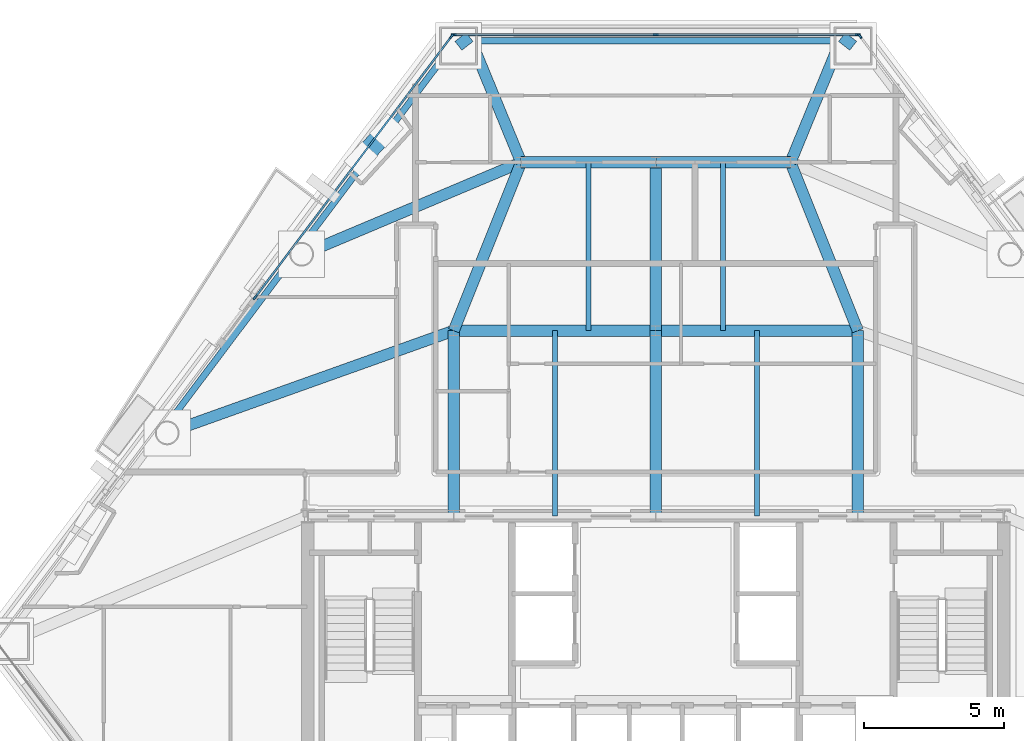
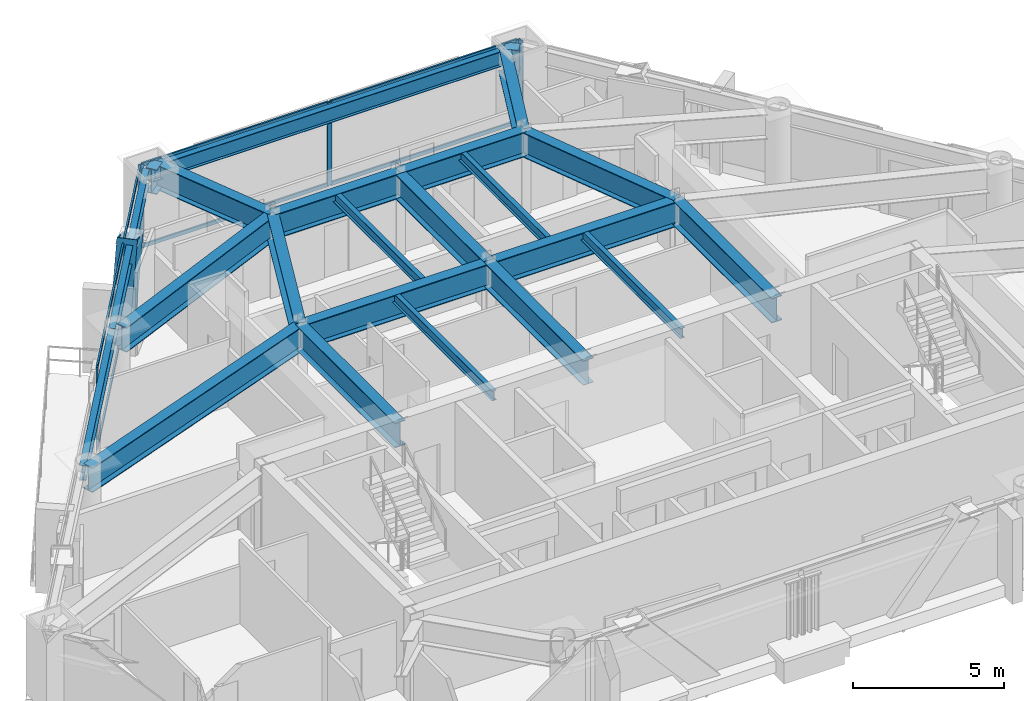
# One storey, part 3 of 11: 23 beams, 13 members, 3 elements without a shape of their own.
"""IFC4 building model written with IfcOpenShell, lengths in metres."""

import ifcopenshell
import ifcopenshell.guid

model = None  # the IFC model being written
_history = None  # IfcOwnerHistory: only IFC2X3 demands one
_inside = {}  # id of a spatial element -> (the spatial element, [elements in it])
_under = {}  # id of a project, library or spatial element -> (it, [spatial elements below it])
_declared = {}  # id of a project -> (the project, [libraries it declares])
_typed = {}  # id of a type object -> (the type object, [elements of that type])
_made_of = {}  # id of a material, layer set ... -> (it, [elements and type objects made of it])


def new_model(schema):
    """Start an empty IFC model of exactly this schema.

    Asked for "IFC4X3", IfcOpenShell would pick the latest addendum, in which some entities
    have other attributes; the version numbers below select the first issue.
    IFC2X3 requires an IfcOwnerHistory on every rooted entity: one is made here for all.
    """
    global model, _history
    if schema == "IFC4X3":
        model = ifcopenshell.file(schema_version=(4, 3, 0, 0))
    else:
        model = ifcopenshell.file(schema=schema)
    _inside.clear()
    _under.clear()
    _declared.clear()
    _typed.clear()
    _made_of.clear()
    _history = None
    if model.schema == "IFC2X3":
        org = make("IfcOrganization", Name="unknown")
        user = make(
            "IfcPersonAndOrganization",
            ThePerson=make("IfcPerson", FamilyName="unknown"),
            TheOrganization=org,
        )
        app = make(
            "IfcApplication",
            ApplicationDeveloper=org,
            Version="unknown",
            ApplicationFullName="unknown",
            ApplicationIdentifier="unknown",
        )
        _history = make(
            "IfcOwnerHistory",
            OwningUser=user,
            OwningApplication=app,
            ChangeAction="ADDED",
            CreationDate=0,
        )
    return model


def make(cls, **values):
    """One entity of the class cls with the attributes given. An attribute that is None is left unset."""
    return model.create_entity(
        cls, **{name: value for name, value in values.items() if value is not None}
    )


def rooted(cls, **values):
    """An entity with a GlobalId (a new one), such as an element, a storey or a relation."""
    return make(cls, GlobalId=ifcopenshell.guid.new(), OwnerHistory=_history, **values)


def si_unit(unit_type, name, prefix=None):
    """IfcSIUnit, for example si_unit("LENGTHUNIT", "METRE", prefix="MILLI")."""
    return make("IfcSIUnit", UnitType=unit_type, Prefix=prefix, Name=name)


def assignment(units):
    """IfcUnitAssignment: the units of a project."""
    return None if units is None else make("IfcUnitAssignment", Units=units)


def point(xyz):
    """IfcCartesianPoint."""
    return None if xyz is None else make("IfcCartesianPoint", Coordinates=xyz)


def direction(xyz):
    """IfcDirection."""
    return None if xyz is None else make("IfcDirection", DirectionRatios=xyz)


def frame(location, z_axis=None, x_axis=None):
    """IfcAxis2Placement3D, a coordinate frame: its origin and axes. An axis left out is left unset."""
    return make(
        "IfcAxis2Placement3D",
        Location=point(location),
        Axis=direction(z_axis),
        RefDirection=direction(x_axis),
    )


def frame_2d(location, x_axis=None):
    """IfcAxis2Placement2D, a coordinate frame in the plane: its origin and x axis."""
    return make(
        "IfcAxis2Placement2D", Location=point(location), RefDirection=direction(x_axis)
    )


def origin():
    """The frame at (0, 0, 0) with its axes left unset."""
    return frame((0.0, 0.0, 0.0))


def origin_2d():
    """The frame at (0, 0) in the plane with its x axis left unset."""
    return frame_2d((0.0, 0.0))


def place(relative_to, where):
    """IfcLocalPlacement: puts the frame where relative to a parent placement (None: the world)."""
    return make(
        "IfcLocalPlacement", PlacementRelTo=relative_to, RelativePlacement=where
    )


def context(
    kind, dimensions, precision=None, world=None, true_north=None, identifier=None
):
    """IfcGeometricRepresentationContext, for example the 3D "Model" context."""
    return make(
        "IfcGeometricRepresentationContext",
        ContextIdentifier=identifier,
        ContextType=kind,
        CoordinateSpaceDimension=dimensions,
        Precision=precision,
        WorldCoordinateSystem=world,
        TrueNorth=true_north,
    )


def subcontext(parent, identifier, kind, view, scale=None):
    """IfcGeometricRepresentationSubContext, for example "Body" below "Model"."""
    return make(
        "IfcGeometricRepresentationSubContext",
        ContextIdentifier=identifier,
        ContextType=kind,
        ParentContext=parent,
        TargetScale=scale,
        TargetView=view,
    )


def project(units=None, contexts=None):
    """IfcProject with its units and contexts."""
    return rooted(
        "IfcProject",
        Name="project",
        RepresentationContexts=contexts,
        UnitsInContext=assignment(units),
    )


def spatial(cls, under=None, at=None, **own):
    """A site, building, storey or space (cls), placed at a placement, below another one or the project."""
    s = rooted(cls, ObjectPlacement=at, **own)
    if under is not None:
        _under.setdefault(under.id(), (under, []))[1].append(s)
    return s


def profile(cls, at=None, kind="AREA", **sizes):
    """A parametric profile (cls). Its sizes go by their IFC names, for example OverallWidth=200.0."""
    return make(cls, ProfileType=kind, Position=at, **sizes)


def rectangle(**sizes):
    """IfcRectangleProfileDef."""
    return profile("IfcRectangleProfileDef", **sizes)


def hollow_rectangle(**sizes):
    """IfcRectangleHollowProfileDef."""
    return profile("IfcRectangleHollowProfileDef", **sizes)


def i_section(**sizes):
    """IfcIShapeProfileDef."""
    return profile("IfcIShapeProfileDef", **sizes)


def extrude(swept, where, along, depth):
    """IfcExtrudedAreaSolid: the profile swept, set in the frame where, extruded along a direction by depth."""
    return make(
        "IfcExtrudedAreaSolid",
        SweptArea=swept,
        Position=where,
        ExtrudedDirection=direction(along),
        Depth=depth,
    )


def shape(context_of_items, identifier, shape_type, items):
    """IfcShapeRepresentation: the items that make up one representation, for example the "Body"."""
    return make(
        "IfcShapeRepresentation",
        ContextOfItems=context_of_items,
        RepresentationIdentifier=identifier,
        RepresentationType=shape_type,
        Items=items,
    )


def material(Name=None, Category=None):
    """IfcMaterial."""
    return make("IfcMaterial", Name=Name, Category=Category)


def layer(
    of_material, thickness, ventilated=None, Name=None, Category=None, Priority=None
):
    """IfcMaterialLayer: one layer of a wall or slab, of a material (None: an air gap)."""
    return make(
        "IfcMaterialLayer",
        Material=of_material,
        LayerThickness=thickness,
        IsVentilated=ventilated,
        Name=Name,
        Category=Category,
        Priority=Priority,
    )


def layer_set(layers, Name=None):
    """IfcMaterialLayerSet."""
    return make("IfcMaterialLayerSet", MaterialLayers=layers, LayerSetName=Name)


def material_profile(
    of_material, cross_section, Name=None, Category=None, Priority=None
):
    """IfcMaterialProfile: a cross section and its material."""
    return make(
        "IfcMaterialProfile",
        Name=Name,
        Material=of_material,
        Profile=cross_section,
        Priority=Priority,
        Category=Category,
    )


def profile_set(profiles, Name=None, composite=None):
    """IfcMaterialProfileSet."""
    return make(
        "IfcMaterialProfileSet",
        Name=Name,
        MaterialProfiles=profiles,
        CompositeProfile=composite,
    )


def made_of(thing, what):
    """Note that an element or type object is made of a material, layer set ...; save() writes the relation."""
    if what is not None:
        _made_of.setdefault(what.id(), (what, []))[1].append(thing)
    return thing


def type_object(cls, material=None, **own):
    """A type object (cls), such as IfcWallType, which elements share."""
    return made_of(rooted(cls, **own), material)


def element(
    cls,
    number,
    at=None,
    inside=None,
    cuts=None,
    type_object=None,
    material=None,
    context=None,
    identifier="Body",
    shape_type=None,
    held_by="IfcProductDefinitionShape",
    body=None,
    shapes=None,
    **own,
):
    """One element of the class cls, such as IfcWall. Its Tag is "e" and its number.

    at: its placement. inside: the storey or other place that contains it. cuts: it is an
    opening in that element (IfcRelVoidsElement). A single representation is given by context,
    identifier, shape_type and body (its items); several are given by shapes. held_by: the class
    of the entity that holds the representations. save() writes the other relations.
    """
    e = rooted(cls, Tag="e%d" % number, ObjectPlacement=at, **own)
    if body is not None:
        shapes = [shape(context, identifier, shape_type, body)]
    if shapes is not None:
        e.Representation = make(held_by, Representations=shapes)
    if inside is not None:
        _inside.setdefault(inside.id(), (inside, []))[1].append(e)
    if cuts is not None:
        rooted(
            "IfcRelVoidsElement", RelatingBuildingElement=cuts, RelatedOpeningElement=e
        )
    if type_object is not None:
        _typed.setdefault(type_object.id(), (type_object, []))[1].append(e)
    return made_of(e, material)


def aggregate(whole, parts):
    """IfcRelAggregates: a whole, such as a stair, and the parts it consists of."""
    return rooted("IfcRelAggregates", RelatingObject=whole, RelatedObjects=parts)


def save(model, path):
    """Write the relations noted so far, then the file.

    IfcRelAggregates (storeys below a building ...), IfcRelContainedInSpatialStructure (elements
    in a storey), IfcRelDefinesByType, IfcRelAssociatesMaterial and IfcRelDeclares: one each for
    every whole, place, type object, material and project.
    """
    for whole, parts in _under.values():
        aggregate(whole, parts)
    for where, things in _inside.values():
        rooted(
            "IfcRelContainedInSpatialStructure",
            RelatedElements=things,
            RelatingStructure=where,
        )
    for kind, things in _typed.values():
        rooted("IfcRelDefinesByType", RelatedObjects=things, RelatingType=kind)
    for what, things in _made_of.values():
        rooted("IfcRelAssociatesMaterial", RelatedObjects=things, RelatingMaterial=what)
    for by, libraries in _declared.values():
        rooted("IfcRelDeclares", RelatingContext=by, RelatedDefinitions=libraries)
    model.write(path)


model = new_model("IFC4")

# Units and contexts
model_context = context("Model", 3, precision=1e-05, world=origin(), true_north=direction((0.0, 1.0)))
body_context = subcontext(model_context, "Body", "Model", "MODEL_VIEW")
ifc_project = project(units=[si_unit("LENGTHUNIT", "METRE"), si_unit("AREAUNIT", "SQUARE_METRE"), si_unit("VOLUMEUNIT", "CUBIC_METRE"), si_unit("PLANEANGLEUNIT", "RADIAN"), si_unit("MASSUNIT", "GRAM", prefix="KILO")], contexts=[model_context])

# Site, building, storey
site_placement = place(None, origin())
site = spatial("IfcSite", under=ifc_project, at=site_placement, CompositionType="ELEMENT")
building_placement = place(site_placement, origin())
building = spatial("IfcBuilding", under=site, at=building_placement, Name="Talgorran Terracotta Tower", CompositionType="ELEMENT")
storey_placement = place(building_placement, frame((0.0, 0.0, 79.199951171875)))
storey = spatial("IfcBuildingStorey", under=building, at=storey_placement, Name="L20", CompositionType="ELEMENT", Elevation=79.199951171875)

# Beams
ifc_material_1 = material(Name="Steel Grade 350 (350L0)", Category="steel")
ifc_material_profile_1 = material_profile(ifc_material_1, i_section(OverallWidth=0.39990234375, OverallDepth=1.0, WebThickness=0.01611328125, FlangeThickness=0.031005859375, at=origin_2d()), Name="1000WB296")
ifc_profile_set_1 = profile_set([ifc_material_profile_1], Name="Steel Grade 350 (350L0)")
beam_type_1 = type_object("IfcBeamType", Name="BM_1000WB296", PredefinedType="BEAM", material=ifc_profile_set_1)
beam_1_placement = place(storey_placement, frame((7.034423828125, 12.552734375, 2.85009765625), z_axis=(-0.786351859357, 0.61777888705, 0.0), x_axis=(-0.61777888705, -0.786351859357, 0.0)))
element("IfcBeam", 1, at=beam_1_placement, inside=storey, type_object=beam_type_1, Name="L20 Perimeter Step Girder 9A", PredefinedType="BEAM", context=body_context, shape_type="SweptSolid", body=[
    extrude(i_section(OverallWidth=0.39990234375, OverallDepth=1.0, WebThickness=0.01611328125, FlangeThickness=0.031005859375, at=origin_2d()), origin(), (0.0, 0.0, 1.0), 0.50537109375),
])
beam_2_placement = place(storey_placement, frame((6.636962890625, 12.864990234375, 2.85009765625), z_axis=(-0.380457312245, -0.924798482676, 0.0), x_axis=(0.924798482676, -0.380457312245, 0.0)))
element("IfcBeam", 2, at=beam_2_placement, inside=storey, type_object=beam_type_1, Name="L20 Perimeter Step Girder 9B", PredefinedType="BEAM", context=body_context, shape_type="SweptSolid", body=[
    extrude(i_section(OverallWidth=0.39990234375, OverallDepth=1.0, WebThickness=0.01611328125, FlangeThickness=0.031005859375, at=origin_2d()), origin(), (0.0, 0.0, 1.0), 4.828125),
])
beam_3_placement = place(storey_placement, frame((-7.034423828125, 12.552734375, 2.85009765625), z_axis=(0.786351859357, 0.61777888705, 0.0), x_axis=(-0.61777888705, 0.786351859357, 0.0)))
element("IfcBeam", 3, at=beam_3_placement, inside=storey, type_object=beam_type_1, Name="L20 Perimeter Step Girder 10A", PredefinedType="BEAM", context=body_context, shape_type="SweptSolid", body=[
    extrude(i_section(OverallWidth=0.39990234375, OverallDepth=1.0, WebThickness=0.01611328125, FlangeThickness=0.031005859375, at=origin_2d()), origin(), (0.0, 0.0, 1.0), 0.50537109375),
])
beam_4_placement = place(storey_placement, frame((-6.636962890625, 12.864990234375, 2.85009765625), z_axis=(0.380457312245, -0.924798482676, 0.0), x_axis=(0.924798482676, 0.380457312245, 0.0)))
element("IfcBeam", 4, at=beam_4_placement, inside=storey, type_object=beam_type_1, Name="L20 Perimeter Step Girder 10B", PredefinedType="BEAM", context=body_context, shape_type="SweptSolid", body=[
    extrude(i_section(OverallWidth=0.39990234375, OverallDepth=1.0, WebThickness=0.01611328125, FlangeThickness=0.031005859375, at=origin_2d()), origin(), (0.0, 0.0, 1.0), 4.828125),
])
for number, where, z_axis, x_axis, name in (
    (5, (-7.199951171875, -4.199951171875, 2.85009765625), (0.0, 1.0, 0.0), (-1.0, 0.0, 0.0), "L20 Floor Girder G01"),
    (6, (0.0, -4.199951171875, 2.85009765625), (0.0, 1.0, 0.0), (-1.0, 0.0, 0.0), "L20 Floor Girder G02"),
    (7, (7.199951171875, -4.199951171875, 2.85009765625), (0.0, 1.0, 0.0), (-1.0, 0.0, 0.0), "L20 Floor Girder G03"),
):
    element("IfcBeam", number, at=place(storey_placement, frame(where, z_axis=z_axis, x_axis=x_axis)), inside=storey, type_object=beam_type_1, Name=name, PredefinedType="BEAM", context=body_context, shape_type="SweptSolid", body=[
        extrude(i_section(OverallWidth=0.39990234375, OverallDepth=1.0, WebThickness=0.01611328125, FlangeThickness=0.031005859375, at=origin_2d()), origin(), (0.0, 0.0, 1.0), 6.599853515625),
    ])
for number, where, z_axis, x_axis, name in (
    (8, (-7.199951171875, 2.39990234375, 2.85009765625), (1.0, 0.0, 0.0), (0.0, 1.0, 0.0), "L20 Floor Girder G04"),
    (9, (0.0, 2.39990234375, 2.85009765625), (1.0, 0.0, 0.0), (0.0, 1.0, 0.0), "L20 Floor Girder G05"),
):
    element("IfcBeam", number, at=place(storey_placement, frame(where, z_axis=z_axis, x_axis=x_axis)), inside=storey, type_object=beam_type_1, Name=name, PredefinedType="BEAM", context=body_context, shape_type="SweptSolid", body=[
        extrude(i_section(OverallWidth=0.39990234375, OverallDepth=1.0, WebThickness=0.01611328125, FlangeThickness=0.031005859375, at=origin_2d()), origin(), (0.0, 0.0, 1.0), 7.199951171875),
    ])
beam_5_placement = place(storey_placement, frame((-7.199951171875, 2.39990234375, 2.85009765625), z_axis=(-0.941876792617, -0.335958490783, 0.0), x_axis=(0.335958490783, -0.941876792617, 0.0)))
element("IfcBeam", 10, at=beam_5_placement, inside=storey, type_object=beam_type_1, Name="L20 Floor Girder G06", PredefinedType="BEAM", context=body_context, shape_type="SweptSolid", body=[
    extrude(i_section(OverallWidth=0.39990234375, OverallDepth=1.0, WebThickness=0.01611328125, FlangeThickness=0.031005859375, at=origin_2d()), origin(), (0.0, 0.0, 1.0), 10.845947265625),
])
beam_6_placement = place(storey_placement, frame((-7.199951171875, 2.39990234375, 2.85009765625), z_axis=(0.371377648723, 0.928481901832, 0.0), x_axis=(-0.928481901832, 0.371377648723, 0.0)))
element("IfcBeam", 11, at=beam_6_placement, inside=storey, type_object=beam_type_1, Name="L20 Floor Girder G08", PredefinedType="BEAM", context=body_context, shape_type="SweptSolid", body=[
    extrude(i_section(OverallWidth=0.39990234375, OverallDepth=1.0, WebThickness=0.01611328125, FlangeThickness=0.031005859375, at=origin_2d()), origin(), (0.0, 0.0, 1.0), 6.462158203125),
])
beam_7_placement = place(storey_placement, frame((0.0, 2.39990234375, 2.85009765625), z_axis=(0.0, 1.0, 0.0), x_axis=(-1.0, 0.0, 0.0)))
element("IfcBeam", 12, at=beam_7_placement, inside=storey, type_object=beam_type_1, Name="L20 Floor Girder G09", PredefinedType="BEAM", context=body_context, shape_type="SweptSolid", body=[
    extrude(i_section(OverallWidth=0.39990234375, OverallDepth=1.0, WebThickness=0.01611328125, FlangeThickness=0.031005859375, at=origin_2d()), origin(), (0.0, 0.0, 1.0), 6.0),
])
beam_8_placement = place(storey_placement, frame((7.199951171875, 2.39990234375, 2.85009765625), z_axis=(-0.371377648723, 0.928481901832, 0.0), x_axis=(-0.928481901832, -0.371377648723, 0.0)))
element("IfcBeam", 13, at=beam_8_placement, inside=storey, type_object=beam_type_1, Name="L20 Floor Girder G10", PredefinedType="BEAM", context=body_context, shape_type="SweptSolid", body=[
    extrude(i_section(OverallWidth=0.39990234375, OverallDepth=1.0, WebThickness=0.01611328125, FlangeThickness=0.031005859375, at=origin_2d()), origin(), (0.0, 0.0, 1.0), 6.462158203125),
])
for number, where, z_axis, x_axis, name in (
    (14, (-4.800048828125, 8.39990234375, 2.85009765625), (1.0, 0.0, 0.0), (0.0, 1.0, 0.0), "L20 Floor Girder G11"),
    (15, (0.0, 8.39990234375, 2.85009765625), (1.0, 0.0, 0.0), (0.0, 1.0, 0.0), "L20 Floor Girder G12"),
):
    element("IfcBeam", number, at=place(storey_placement, frame(where, z_axis=z_axis, x_axis=x_axis)), inside=storey, type_object=beam_type_1, Name=name, PredefinedType="BEAM", context=body_context, shape_type="SweptSolid", body=[
        extrude(i_section(OverallWidth=0.39990234375, OverallDepth=1.0, WebThickness=0.01611328125, FlangeThickness=0.031005859375, at=origin_2d()), origin(), (0.0, 0.0, 1.0), 4.800048828125),
    ])
beam_9_placement = place(storey_placement, frame((-4.800048828125, 8.39990234375, 2.85009765625), z_axis=(-0.921492221575, -0.388396814582, 0.0), x_axis=(0.388396814582, -0.921492221575, 0.0)))
element("IfcBeam", 16, at=beam_9_placement, inside=storey, type_object=beam_type_1, Name="L20 Floor Girder G13", PredefinedType="BEAM", context=body_context, shape_type="SweptSolid", body=[
    extrude(i_section(OverallWidth=0.39990234375, OverallDepth=1.0, WebThickness=0.01611328125, FlangeThickness=0.031005859375, at=origin_2d()), origin(), (0.0, 0.0, 1.0), 8.25390625),
])
ifc_material_2 = material(Name="Steel S355 (300PLUS)", Category="steel")
ifc_material_profile_2 = material_profile(ifc_material_2, i_section(OverallWidth=0.177734375, OverallDepth=0.406494140625, WebThickness=0.0078125, FlangeThickness=0.0126953125, at=origin_2d()), Name="410UB59.7")
ifc_profile_set_2 = profile_set([ifc_material_profile_2], Name="Steel S355 (300PLUS)")
beam_type_2 = type_object("IfcBeamType", Name="BM_JS_410UB60", PredefinedType="JOIST", material=ifc_profile_set_2)
for number, where, z_axis, x_axis, name in (
    (17, (-3.60009765625, -4.199951171875, 3.146728515625), (0.0, 1.0, 0.0), (-1.0, 0.0, 0.0), "L20 Secondary Joist J01"),
    (18, (3.60009765625, -4.199951171875, 3.146728515625), (0.0, 1.0, 0.0), (-1.0, 0.0, 0.0), "L20 Secondary Joist J02"),
):
    element("IfcBeam", number, at=place(storey_placement, frame(where, z_axis=z_axis, x_axis=x_axis)), inside=storey, type_object=beam_type_2, Name=name, PredefinedType="JOIST", context=body_context, shape_type="SweptSolid", body=[
        extrude(i_section(OverallWidth=0.177734375, OverallDepth=0.406494140625, WebThickness=0.0078125, FlangeThickness=0.0126953125, at=origin_2d()), origin(), (0.0, 0.0, 1.0), 6.599853515625),
    ])
for number, where, z_axis, x_axis, name in (
    (19, (-2.39990234375, 2.39990234375, 3.146728515625), (0.0, 1.0, 0.0), (-1.0, 0.0, 0.0), "L20 Secondary Joist J03"),
    (20, (2.39990234375, 2.39990234375, 3.146728515625), (0.0, 1.0, 0.0), (-1.0, 0.0, 0.0), "L20 Secondary Joist J04"),
):
    element("IfcBeam", number, at=place(storey_placement, frame(where, z_axis=z_axis, x_axis=x_axis)), inside=storey, type_object=beam_type_2, Name=name, PredefinedType="JOIST", context=body_context, shape_type="SweptSolid", body=[
        extrude(i_section(OverallWidth=0.177734375, OverallDepth=0.406494140625, WebThickness=0.0078125, FlangeThickness=0.0126953125, at=origin_2d()), origin(), (0.0, 0.0, 1.0), 6.0),
    ])
ifc_material_profile_3 = material_profile(ifc_material_2, i_section(OverallWidth=0.22900390625, OverallDepth=0.611572265625, WebThickness=0.011962890625, FlangeThickness=0.01953125, at=origin_2d()), Name="610UB125")
ifc_profile_set_3 = profile_set([ifc_material_profile_3], Name="Steel S355 (300PLUS)")
beam_type_3 = type_object("IfcBeamType", Name="BM_SP_610UB125", PredefinedType="SPANDREL", material=ifc_profile_set_3)
beam_10_placement = place(storey_placement, frame((7.034423828125, 12.73291015625, 3.044189453125), z_axis=(-1.0, 0.0, 0.0), x_axis=(0.0, -1.0, 0.0)))
element("IfcBeam", 21, at=beam_10_placement, inside=storey, type_object=beam_type_3, Name="L20 Perimeter Spandrel Beam MC5-MC6", PredefinedType="SPANDREL", context=body_context, shape_type="SweptSolid", body=[
    extrude(i_section(OverallWidth=0.22900390625, OverallDepth=0.611572265625, WebThickness=0.011962890625, FlangeThickness=0.01953125, at=origin_2d()), origin(), (0.0, 0.0, 1.0), 14.06884765625),
])
beam_11_placement = place(storey_placement, frame((-7.17822265625, 12.660888671875, 3.044189453125), z_axis=(-0.601247141496, -0.799063123191, 0.0), x_axis=(0.799063123191, -0.601247141496, 0.0)))
element("IfcBeam", 22, at=beam_11_placement, inside=storey, type_object=beam_type_3, Name="L20 Perimeter Spandrel Beam MC6-FC5", PredefinedType="SPANDREL", context=body_context, shape_type="SweptSolid", body=[
    extrude(i_section(OverallWidth=0.22900390625, OverallDepth=0.611572265625, WebThickness=0.011962890625, FlangeThickness=0.01953125, at=origin_2d()), origin(), (0.0, 0.0, 1.0), 9.297119140625),
])
beam_12_placement = place(storey_placement, frame((-12.76806640625, 5.23193359375, 3.044189453125), z_axis=(-0.601259066115, -0.799054150489, 0.0), x_axis=(0.799054150489, -0.601259066115, 0.0)))
element("IfcBeam", 23, at=beam_12_placement, inside=storey, type_object=beam_type_3, Name="L20 Perimeter Spandrel Beam FC5-FC6", PredefinedType="SPANDREL", context=body_context, shape_type="SweptSolid", body=[
    extrude(i_section(OverallWidth=0.22900390625, OverallDepth=0.611572265625, WebThickness=0.011962890625, FlangeThickness=0.01953125, at=origin_2d()), origin(), (0.0, 0.0, 1.0), 7.96875),
])

# Member
ifc_material_profile_4 = material_profile(ifc_material_1, hollow_rectangle(XDim=0.699951171875, YDim=0.89990234375, WallThickness=0.050048828125, at=origin_2d()), Name="WBOX900X700X50")
ifc_profile_set_4 = profile_set([ifc_material_profile_4], Name="Steel Grade 350 (350L0)")
member_type_1 = type_object("IfcMemberType", Name="MB_MEGA_900", PredefinedType="BRACE", material=ifc_profile_set_4)
member_1_placement = place(storey_placement, frame((-10.51123046875, 8.531005859375, -0.02490234375), z_axis=(0.249698472251, 0.272252743662, 0.929262673588), x_axis=(-0.736974164765, 0.67592091288, 0.0)))
element("IfcMember", 24, at=member_1_placement, inside=storey, type_object=member_type_1, Name="L20 Exterior Face Mega-Brace MB-1 (NWU)", PredefinedType="BRACE", context=body_context, shape_type="SweptSolid", body=[
    extrude(hollow_rectangle(XDim=0.699951171875, YDim=0.89990234375, WallThickness=0.050048828125, at=origin_2d()), origin(), (0.0, 0.0, 1.0), 3.65869140625),
])

# Curtain wall, member
ifc_material_3 = material(Name="Unitised Low-E Double Glazing", Category="glass")
ifc_layer = layer(ifc_material_3, 0.199951171875, Name="CW_SYS2_RES_LOW")
ifc_layer_set = layer_set([ifc_layer], Name="Unitised Low-E Double Glazing")
curtain_wall_type = type_object("IfcCurtainWallType", Name="CW_SYS2_RES_LOW", PredefinedType="NOTDEFINED", material=ifc_layer_set)
curtain_wall_1_placement = place(storey_placement, origin())
curtain_wall_1 = element("IfcCurtainWall", 25, at=curtain_wall_1_placement, inside=storey, type_object=curtain_wall_type, Name="CW-L20-F41", PredefinedType="NOTDEFINED")
ifc_material_4 = material(Name="Architectural Aluminium 6063-T6", Category="aluminium")
ifc_material_profile_5 = material_profile(ifc_material_4, rectangle(XDim=0.06494140625, YDim=0.18505859375, at=origin_2d()), Name="CWM65X185")
ifc_profile_set_5 = profile_set([ifc_material_profile_5], Name="Architectural Aluminium 6063-T6")
member_type_2 = type_object("IfcMemberType", Name="MUL_65X185", PredefinedType="MULLION", material=ifc_profile_set_5)
member_2_placement = place(storey_placement, frame((7.277587890625, 12.894775390625, 0.0), z_axis=(0.0, 0.0, 1.0), x_axis=(-0.799063254453, -0.601246967046, 0.0)))
member_2 = element("IfcMember", 26, at=member_2_placement, type_object=member_type_2, Name="CW-L20-41 mullion 3", PredefinedType="MULLION", context=body_context, shape_type="SweptSolid", body=[
    extrude(rectangle(XDim=0.06494140625, YDim=0.18505859375, at=origin_2d()), origin(), (0.0, 0.0, 1.0), 3.35009765625),
])
aggregate(curtain_wall_1, [member_2])

# Curtain wall, members
curtain_wall_2_placement = place(storey_placement, origin())
curtain_wall_2 = element("IfcCurtainWall", 27, at=curtain_wall_2_placement, inside=storey, type_object=curtain_wall_type, Name="CW-L20-F4", PredefinedType="NOTDEFINED")
member_3_placement = place(storey_placement, frame((7.20166015625, 12.952880859375, 0.0), z_axis=(0.0, 0.0, 1.0), x_axis=(0.0, -1.0, 0.0)))
member_3 = element("IfcMember", 28, at=member_3_placement, type_object=member_type_2, Name="CW-L20-4 mullion 1", PredefinedType="MULLION", context=body_context, shape_type="SweptSolid", body=[
    extrude(rectangle(XDim=0.06494140625, YDim=0.18505859375, at=origin_2d()), origin(), (0.0, 0.0, 1.0), 3.35009765625),
])
member_4_placement = place(storey_placement, frame((0.0, 12.952880859375, 0.0), z_axis=(0.0, 0.0, 1.0), x_axis=(0.0, -1.0, 0.0)))
member_4 = element("IfcMember", 29, at=member_4_placement, type_object=member_type_2, Name="CW-L20-4 mullion 2", PredefinedType="MULLION", context=body_context, shape_type="SweptSolid", body=[
    extrude(rectangle(XDim=0.06494140625, YDim=0.18505859375, at=origin_2d()), origin(), (0.0, 0.0, 1.0), 3.35009765625),
])
member_5_placement = place(storey_placement, frame((-7.20166015625, 12.952880859375, 0.0), z_axis=(0.0, 0.0, 1.0), x_axis=(0.0, -1.0, 0.0)))
member_5 = element("IfcMember", 30, at=member_5_placement, type_object=member_type_2, Name="CW-L20-4 mullion 3", PredefinedType="MULLION", context=body_context, shape_type="SweptSolid", body=[
    extrude(rectangle(XDim=0.06494140625, YDim=0.18505859375, at=origin_2d()), origin(), (0.0, 0.0, 1.0), 3.35009765625),
])

curtain_wall_3_placement = place(storey_placement, origin())
curtain_wall_3 = element("IfcCurtainWall", 31, at=curtain_wall_3_placement, inside=storey, type_object=curtain_wall_type, Name="CW-L20-F60", PredefinedType="NOTDEFINED")
member_6_placement = place(storey_placement, frame((-7.277587890625, 12.894775390625, 0.0), z_axis=(0.0, 0.0, 1.0), x_axis=(0.799066410802, -0.601242772205, 0.0)))
member_6 = element("IfcMember", 32, at=member_6_placement, type_object=member_type_2, Name="CW-L20-60 mullion 1", PredefinedType="MULLION", context=body_context, shape_type="SweptSolid", body=[
    extrude(rectangle(XDim=0.06494140625, YDim=0.18505859375, at=origin_2d()), origin(), (0.0, 0.0, 1.0), 3.35009765625),
])
member_7_placement = place(storey_placement, frame((-14.278564453125, 3.590576171875, 0.0), z_axis=(0.0, 0.0, 1.0), x_axis=(0.799066410802, -0.601242772205, 0.0)))
member_7 = element("IfcMember", 33, at=member_7_placement, type_object=member_type_2, Name="CW-L20-60 mullion 2", PredefinedType="MULLION", context=body_context, shape_type="SweptSolid", body=[
    extrude(rectangle(XDim=0.06494140625, YDim=0.18505859375, at=origin_2d()), origin(), (0.0, 0.0, 1.0), 3.35009765625),
])

# Member
ifc_material_profile_6 = material_profile(ifc_material_4, rectangle(XDim=0.06494140625, YDim=0.14990234375, at=origin_2d()), Name="CWT65X150")
ifc_profile_set_6 = profile_set([ifc_material_profile_6], Name="Architectural Aluminium 6063-T6")
member_type_3 = type_object("IfcMemberType", Name="TRN_65X150", PredefinedType="USERDEFINED", material=ifc_profile_set_6)
member_8_placement = place(storey_placement, frame((7.169189453125, 12.952880859375, 0.032470703125), z_axis=(-1.0, 0.0, 0.0), x_axis=(0.0, -1.0, 0.0)))
member_8 = element("IfcMember", 34, at=member_8_placement, type_object=member_type_3, Name="CW-L20-4 transom 1.1", ObjectType="TRANSOM", PredefinedType="USERDEFINED", context=body_context, shape_type="SweptSolid", body=[
    extrude(rectangle(XDim=0.06494140625, YDim=0.14990234375, at=origin_2d()), origin(), (0.0, 0.0, 1.0), 7.13671875),
])

member_9_placement = place(storey_placement, frame((7.169189453125, 12.952880859375, 3.317626953125), z_axis=(-1.0, 0.0, 0.0), x_axis=(0.0, -1.0, 0.0)))
member_9 = element("IfcMember", 35, at=member_9_placement, type_object=member_type_3, Name="CW-L20-4 transom 1.2", ObjectType="TRANSOM", PredefinedType="USERDEFINED", context=body_context, shape_type="SweptSolid", body=[
    extrude(rectangle(XDim=0.06494140625, YDim=0.14990234375, at=origin_2d()), origin(), (0.0, 0.0, 1.0), 7.13671875),
])

member_10_placement = place(storey_placement, frame((-0.032470703125, 12.952880859375, 0.032470703125), z_axis=(-1.0, 0.0, 0.0), x_axis=(0.0, -1.0, 0.0)))
member_10 = element("IfcMember", 36, at=member_10_placement, type_object=member_type_3, Name="CW-L20-4 transom 2.1", ObjectType="TRANSOM", PredefinedType="USERDEFINED", context=body_context, shape_type="SweptSolid", body=[
    extrude(rectangle(XDim=0.06494140625, YDim=0.14990234375, at=origin_2d()), origin(), (0.0, 0.0, 1.0), 7.13671875),
])

member_11_placement = place(storey_placement, frame((-0.032470703125, 12.952880859375, 3.317626953125), z_axis=(-1.0, 0.0, 0.0), x_axis=(0.0, -1.0, 0.0)))
member_11 = element("IfcMember", 37, at=member_11_placement, type_object=member_type_3, Name="CW-L20-4 transom 2.2", ObjectType="TRANSOM", PredefinedType="USERDEFINED", context=body_context, shape_type="SweptSolid", body=[
    extrude(rectangle(XDim=0.06494140625, YDim=0.14990234375, at=origin_2d()), origin(), (0.0, 0.0, 1.0), 7.13671875),
])

aggregate(curtain_wall_2, [member_3, member_4, member_5, member_8, member_9, member_10, member_11])

member_12_placement = place(storey_placement, frame((-7.297119140625, 12.868896484375, 0.032470703125), z_axis=(-0.601247475969, -0.79906287152, 0.0), x_axis=(0.79906287152, -0.601247475969, 0.0)))
member_12 = element("IfcMember", 38, at=member_12_placement, type_object=member_type_3, Name="CW-L20-60 transom 1.1", ObjectType="TRANSOM", PredefinedType="USERDEFINED", context=body_context, shape_type="SweptSolid", body=[
    extrude(rectangle(XDim=0.06494140625, YDim=0.14990234375, at=origin_2d()), origin(), (0.0, 0.0, 1.0), 11.5791015625),
])

member_13_placement = place(storey_placement, frame((-7.297119140625, 12.868896484375, 3.317626953125), z_axis=(-0.601247475969, -0.79906287152, 0.0), x_axis=(0.79906287152, -0.601247475969, 0.0)))
member_13 = element("IfcMember", 39, at=member_13_placement, type_object=member_type_3, Name="CW-L20-60 transom 1.2", ObjectType="TRANSOM", PredefinedType="USERDEFINED", context=body_context, shape_type="SweptSolid", body=[
    extrude(rectangle(XDim=0.06494140625, YDim=0.14990234375, at=origin_2d()), origin(), (0.0, 0.0, 1.0), 11.5791015625),
])

aggregate(curtain_wall_3, [member_6, member_7, member_12, member_13])

save(model, "model.ifc")
